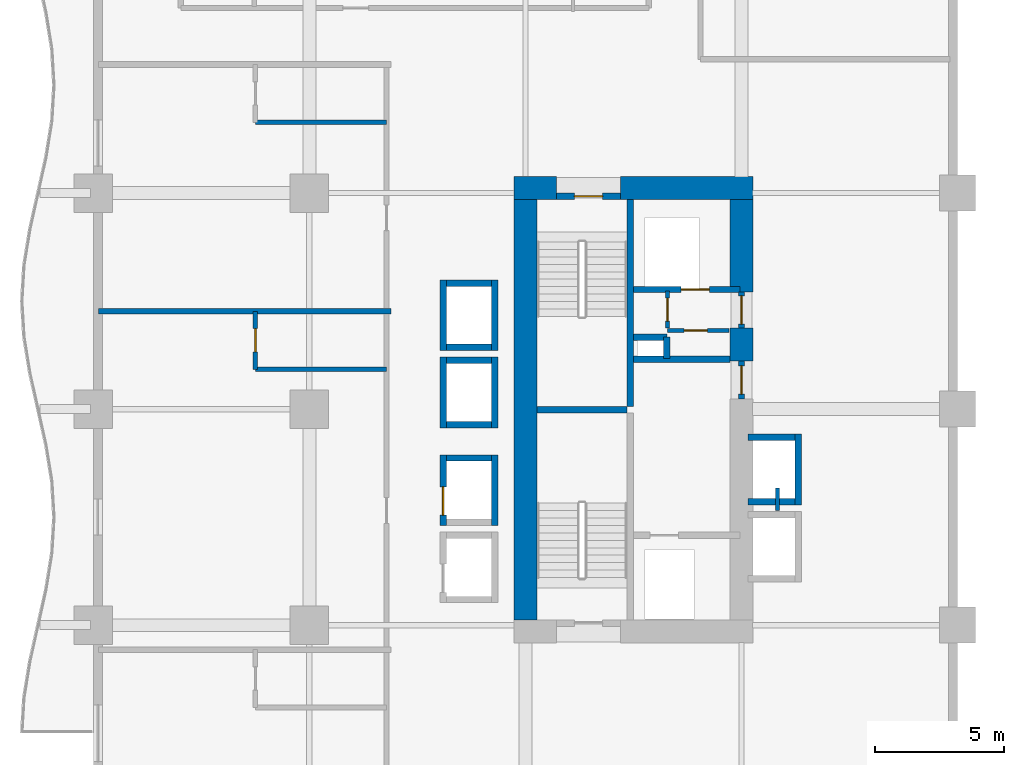
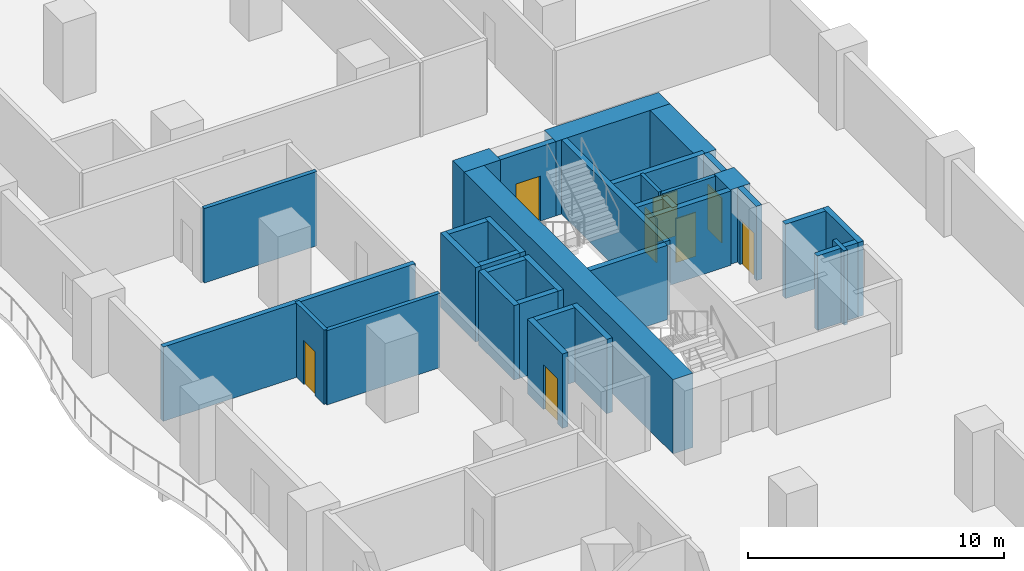
# One storey, part 13 of 24: 35 walls, 8 doors, 8 openings.
"""IFC4 building model written with IfcOpenShell, lengths in metres."""

from ifc_helpers import new_model, si_unit, direction, frame, frame_2d, origin, place, context, subcontext, project, spatial, rectangle, extrude, material, layer, layer_set, type_object, element, fill, save


model = new_model("IFC4")

# Units and contexts
model_context = context("Model", 3, precision=1e-05, world=origin(), true_north=direction((0.0, 1.0)))
body_context = subcontext(model_context, "Body", "Model", "MODEL_VIEW")
ifc_project = project(units=[si_unit("LENGTHUNIT", "METRE"), si_unit("AREAUNIT", "SQUARE_METRE"), si_unit("VOLUMEUNIT", "CUBIC_METRE"), si_unit("PLANEANGLEUNIT", "RADIAN"), si_unit("MASSUNIT", "GRAM", prefix="KILO")], contexts=[model_context])

# Site, building, storey
site_placement = place(None, origin())
site = spatial("IfcSite", under=ifc_project, at=site_placement, CompositionType="ELEMENT")
building_placement = place(site_placement, origin())
building = spatial("IfcBuilding", under=site, at=building_placement, Name="Koriwani Terraces Tower", CompositionType="ELEMENT")
storey_placement = place(building_placement, frame((0.0, 0.0, 47.199951171875)))
storey = spatial("IfcBuildingStorey", under=building, at=storey_placement, Name="L10", CompositionType="ELEMENT", Elevation=47.199951171875)

# Walls
ifc_material_1 = material(Name="Concrete C60/75", Category="concrete")
ifc_layer_1 = layer(ifc_material_1, 0.89990234375, Name="Concrete C60/75")
ifc_layer_set_1 = layer_set([ifc_layer_1], Name="Concrete C60/75")
wall_type_1 = type_object("IfcWallType", Name="WALL_CORE_RC_900", PredefinedType="SHEAR", material=ifc_layer_set_1)
wall_1_placement = place(storey_placement, frame((16.35009765625, 59.0, 0.0), z_axis=(0.0, 0.0, 1.0), x_axis=(1.0, 0.0, 0.0)))
element("IfcWall", 1, at=wall_1_placement, inside=storey, type_object=wall_type_1, Name="L10 West Split Core Shear Wall N1", PredefinedType="SHEAR", context=body_context, shape_type="SweptSolid", body=[
    extrude(rectangle(XDim=1.64990234375, YDim=0.89990234375, at=frame_2d((0.824951171875, 0.0))), origin(), (0.0, 0.0, 1.0), 3.550048828125),
])
wall_2_placement = place(storey_placement, frame((20.5, 59.0, 0.0), z_axis=(0.0, 0.0, 1.0), x_axis=(1.0, 0.0, 0.0)))
element("IfcWall", 2, at=wall_2_placement, inside=storey, type_object=wall_type_1, Name="L10 West Split Core Shear Wall N2", PredefinedType="SHEAR", context=body_context, shape_type="SweptSolid", body=[
    extrude(rectangle(XDim=5.14990234375, YDim=0.89990234375, at=frame_2d((2.574951171875, 0.0))), origin(), (0.0, 0.0, 1.0), 3.550048828125),
])
wall_3_placement = place(storey_placement, frame((16.800048828125, 42.199951171875, 0.0), z_axis=(0.0, 0.0, 1.0), x_axis=(0.0, 1.0, 0.0)))
element("IfcWall", 3, at=wall_3_placement, inside=storey, type_object=wall_type_1, Name="L10 West Split Core Shear Wall W1", PredefinedType="SHEAR", context=body_context, shape_type="SweptSolid", body=[
    extrude(rectangle(XDim=16.35009765625, YDim=0.89990234375, at=frame_2d((8.175048828125, 0.0))), origin(), (0.0, 0.0, 1.0), 3.550048828125),
])
wall_4_placement = place(storey_placement, frame((25.199951171875, 52.280029296875, 0.0), z_axis=(0.0, 0.0, 1.0), x_axis=(0.0, 1.0, 0.0)))
element("IfcWall", 4, at=wall_4_placement, inside=storey, type_object=wall_type_1, Name="L10 West Split Core Shear Wall E2", PredefinedType="SHEAR", context=body_context, shape_type="SweptSolid", body=[
    extrude(rectangle(XDim=1.27001953125, YDim=0.89990234375, at=frame_2d((0.635009765625, 0.0))), origin(), (0.0, 0.0, 1.0), 3.550048828125),
])
wall_5_placement = place(storey_placement, frame((25.199951171875, 54.949951171875, 0.0), z_axis=(0.0, 0.0, 1.0), x_axis=(0.0, 1.0, 0.0)))
element("IfcWall", 5, at=wall_5_placement, inside=storey, type_object=wall_type_1, Name="L10 West Split Core Shear Wall E3", PredefinedType="SHEAR", context=body_context, shape_type="SweptSolid", body=[
    extrude(rectangle(XDim=3.60009765625, YDim=0.89990234375, at=frame_2d((1.800048828125, 0.0))), origin(), (0.0, 0.0, 1.0), 3.550048828125),
])
ifc_material_2 = material(Name="Autoclaved Cellular Concrete Blockwork", Category="masonry")
ifc_layer_2 = layer(ifc_material_2, 0.219970703125, Name="Autoclaved Cellular Concrete Blockwork")
ifc_layer_set_2 = layer_set([ifc_layer_2], Name="Autoclaved Cellular Concrete Blockwork")
wall_type_2 = type_object("IfcWallType", Name="WALL_DEMISING_220", PredefinedType="PARTITIONING", material=ifc_layer_set_2)
wall_6_placement = place(storey_placement, frame((0.199951171875, 54.199951171875, 0.0), z_axis=(0.0, 0.0, 1.0), x_axis=(1.0, 0.0, 0.0)))
element("IfcWall", 6, at=wall_6_placement, inside=storey, type_object=wall_type_2, Name="L10 Interior Wall WDEM-L10-NW-5", PredefinedType="PARTITIONING", context=body_context, shape_type="SweptSolid", body=[
    extrude(rectangle(XDim=11.380126953125, YDim=0.219970703125, at=frame_2d((5.68994140625, 0.0))), origin(), (0.0, 0.0, 1.0), 3.550048828125),
])

# Wall, opening, door
ifc_material_3 = material(Name="Fire-Rated Acoustic Gypsum Partition", Category="masonry")
ifc_layer_3 = layer(ifc_material_3, 0.179931640625, Name="Fire-Rated Acoustic Gypsum Partition")
ifc_layer_set_3 = layer_set([ifc_layer_3], Name="Fire-Rated Acoustic Gypsum Partition")
wall_type_3 = type_object("IfcWallType", Name="WALL_PLUMBING_180", PredefinedType="PLUMBINGWALL", material=ifc_layer_set_3)
wall_7_placement = place(storey_placement, frame((6.300048828125, 51.949951171875, 0.0), z_axis=(0.0, 0.0, 1.0), x_axis=(0.0, 1.0, 0.0)))
wall_7 = element("IfcWall", 7, at=wall_7_placement, inside=storey, type_object=wall_type_3, Name="L10 Interior Wall WBTH1-L10-NW-4", PredefinedType="PLUMBINGWALL", context=body_context, shape_type="SweptSolid", body=[
    extrude(rectangle(XDim=2.25, YDim=0.179931640625, at=frame_2d((1.125, 0.0))), origin(), (0.0, 0.0, 1.0), 3.550048828125),
])
opening_1_placement = place(wall_7_placement, frame((0.675048828125, 0.0, 0.0)))
opening_1 = element("IfcOpeningElement", 8, at=opening_1_placement, cuts=wall_7, Name="Opening D-07", PredefinedType="OPENING", context=body_context, shape_type="SweptSolid", body=[
    extrude(rectangle(XDim=0.89990234375, YDim=2.10009765625, at=frame_2d((0.449951171875, 1.050048828125))), frame((0.0, 0.10009765625, 0.0), z_axis=(0.0, -1.0, 0.0), x_axis=(1.0, 0.0, 0.0)), (0.0, 0.0, 1.0), 0.199951171875),
])
ifc_material_4 = material(Name="Architectural Oak Fire Door", Category="wood")
door_type_1 = type_object("IfcDoorType", Name="DOOR_BATH_INT_900X2100", OperationType="NOTDEFINED", PredefinedType="DOOR", material=ifc_material_4)
door_1_placement = place(opening_1_placement, origin())
door_1 = element("IfcDoor", 9, at=door_1_placement, inside=storey, type_object=door_type_1, Name="En-Suite Bathroom 10NW5 Door", OperationType="SINGLE_SWING_LEFT", OverallHeight=2.10009765625, OverallWidth=0.89990234375, PredefinedType="DOOR", context=body_context, shape_type="SweptSolid", body=[
    extrude(rectangle(XDim=0.89990234375, YDim=2.10009765625, at=frame_2d((0.449951171875, 1.050048828125))), frame((0.0, 0.02490234375, 0.0), z_axis=(0.0, -1.0, 0.0), x_axis=(1.0, 0.0, 0.0)), (0.0, 0.0, 1.0), 0.050048828125),
])
fill(opening_1, door_1)

# Walls
for number, where, z_axis, x_axis, name in (
    (10, (6.300048828125, 51.949951171875, 0.0), (0.0, 0.0, 1.0), (1.0, 0.0, 0.0), "L10 Interior Wall WBTH2-L10-NW-4"),
    (11, (6.300048828125, 61.550048828125, 0.0), (0.0, 0.0, 1.0), (1.0, 0.0, 0.0), "L10 Interior Wall WBTH2-L10-NW-5"),
):
    element("IfcWall", number, at=place(storey_placement, frame(where, z_axis=z_axis, x_axis=x_axis)), inside=storey, type_object=wall_type_3, Name=name, PredefinedType="PLUMBINGWALL", context=body_context, shape_type="SweptSolid", body=[
        extrude(rectangle(XDim=5.099853515625, YDim=0.179931640625, at=frame_2d((2.5498046875, 0.0))), origin(), (0.0, 0.0, 1.0), 3.550048828125),
    ])
ifc_material_5 = material(Name="Concrete C40/50", Category="concrete")
ifc_layer_4 = layer(ifc_material_5, 0.25, Name="Concrete C40/50")
ifc_layer_set_4 = layer_set([ifc_layer_4], Name="Concrete C40/50")
wall_type_4 = type_object("IfcWallType", Name="WALL_SHAFT_RATED_250", PredefinedType="SOLIDWALL", material=ifc_layer_set_4)
wall_8_placement = place(storey_placement, frame((20.875, 50.5, 0.0), z_axis=(0.0, 0.0, 1.0), x_axis=(0.0, 1.0, 0.0)))
element("IfcWall", 12, at=wall_8_placement, inside=storey, type_object=wall_type_4, Name="L10 West Split Core Web Wall MID2", PredefinedType="SOLIDWALL", context=body_context, shape_type="SweptSolid", body=[
    extrude(rectangle(XDim=8.050048828125, YDim=0.25, at=frame_2d((4.02490234375, 0.0))), origin(), (0.0, 0.0, 1.0), 3.550048828125),
])
wall_9_placement = place(storey_placement, frame((17.25, 50.375, 0.0), z_axis=(0.0, 0.0, 1.0), x_axis=(1.0, 0.0, 0.0)))
element("IfcWall", 13, at=wall_9_placement, inside=storey, type_object=wall_type_4, Name="L10 West Split Core Stair Dividing Wall", PredefinedType="SOLIDWALL", context=body_context, shape_type="SweptSolid", body=[
    extrude(rectangle(XDim=3.5, YDim=0.25, at=frame_2d((1.75, 0.0))), origin(), (0.0, 0.0, 1.0), 3.550048828125),
])

# Wall, opening, door
wall_10_placement = place(storey_placement, frame((18.0, 58.675048828125, 0.0), z_axis=(0.0, 0.0, 1.0), x_axis=(1.0, 0.0, 0.0)))
wall_10 = element("IfcWall", 14, at=wall_10_placement, inside=storey, type_object=wall_type_4, Name="L10 Interior Wall WIN-CW-L10-STN", PredefinedType="SOLIDWALL", context=body_context, shape_type="SweptSolid", body=[
    extrude(rectangle(XDim=2.5, YDim=0.25, at=frame_2d((1.25, 0.0))), origin(), (0.0, 0.0, 1.0), 3.550048828125),
])
opening_2_placement = place(wall_10_placement, frame((0.699951171875, 0.0, 0.0)))
opening_2 = element("IfcOpeningElement", 15, at=opening_2_placement, cuts=wall_10, Name="Opening D-03", PredefinedType="OPENING", context=body_context, shape_type="SweptSolid", body=[
    extrude(rectangle(XDim=1.10009765625, YDim=2.14990234375, at=frame_2d((0.550048828125, 1.074951171875))), frame((0.0, 0.135009765625, 0.0), z_axis=(0.0, -1.0, 0.0), x_axis=(1.0, 0.0, 0.0)), (0.0, 0.0, 1.0), 0.27001953125),
])
ifc_material_6 = material(Name="Steel ASTM A572 Grade 50", Category="steel")
door_type_2 = type_object("IfcDoorType", Name="DOOR_STAIR_FIRE_1100X2150", OperationType="NOTDEFINED", PredefinedType="DOOR", material=ifc_material_6)
door_2_placement = place(opening_2_placement, origin())
door_2 = element("IfcDoor", 16, at=door_2_placement, inside=storey, type_object=door_type_2, Name="L10 Exit Stair ST-W2 Door", OperationType="SINGLE_SWING_LEFT", OverallHeight=2.14990234375, OverallWidth=1.10009765625, PredefinedType="DOOR", context=body_context, shape_type="SweptSolid", body=[
    extrude(rectangle(XDim=1.10009765625, YDim=2.14990234375, at=frame_2d((0.550048828125, 1.074951171875))), frame((0.0, 0.02490234375, 0.0), z_axis=(0.0, -1.0, 0.0), x_axis=(1.0, 0.0, 0.0)), (0.0, 0.0, 1.0), 0.050048828125),
])
fill(opening_2, door_2)

wall_11_placement = place(storey_placement, frame((25.199951171875, 50.800048828125, 0.0), z_axis=(0.0, 0.0, 1.0), x_axis=(0.0, 1.0, 0.0)))
wall_11 = element("IfcWall", 17, at=wall_11_placement, inside=storey, type_object=wall_type_4, Name="L10 Interior Wall WIN-CW-L10-EP", PredefinedType="SOLIDWALL", context=body_context, shape_type="SweptSolid", body=[
    extrude(rectangle(XDim=1.47998046875, YDim=0.25, at=frame_2d((0.739990234375, 0.0))), origin(), (0.0, 0.0, 1.0), 3.550048828125),
])
opening_3_placement = place(wall_11_placement, frame((0.179931640625, 0.0, 0.0)))
opening_3 = element("IfcOpeningElement", 18, at=opening_3_placement, cuts=wall_11, Name="Opening D-03", PredefinedType="OPENING", context=body_context, shape_type="SweptSolid", body=[
    extrude(rectangle(XDim=1.10009765625, YDim=2.14990234375, at=frame_2d((0.550048828125, 1.074951171875))), frame((0.0, 0.135009765625, 0.0), z_axis=(0.0, -1.0, 0.0), x_axis=(1.0, 0.0, 0.0)), (0.0, 0.0, 1.0), 0.27001953125),
])
door_3_placement = place(opening_3_placement, origin())
door_3 = element("IfcDoor", 19, at=door_3_placement, inside=storey, type_object=door_type_2, Name="L10 West Firefighting Lobby Door", OperationType="SINGLE_SWING_RIGHT", OverallHeight=2.14990234375, OverallWidth=1.10009765625, PredefinedType="DOOR", context=body_context, shape_type="SweptSolid", body=[
    extrude(rectangle(XDim=1.10009765625, YDim=2.14990234375, at=frame_2d((0.550048828125, 1.074951171875))), frame((0.0, 0.02490234375, 0.0), z_axis=(0.0, -1.0, 0.0), x_axis=(1.0, 0.0, 0.0)), (0.0, 0.0, 1.0), 0.050048828125),
])
fill(opening_3, door_3)

# Wall
wall_12_placement = place(storey_placement, frame((21.0, 52.340087890625, 0.0), z_axis=(0.0, 0.0, 1.0), x_axis=(1.0, 0.0, 0.0)))
element("IfcWall", 20, at=wall_12_placement, inside=storey, type_object=wall_type_4, Name="L10 Interior Wall WIN-CW-L10-FFN", PredefinedType="SOLIDWALL", context=body_context, shape_type="SweptSolid", body=[
    extrude(rectangle(XDim=3.75, YDim=0.25, at=frame_2d((1.875, 0.0))), origin(), (0.0, 0.0, 1.0), 3.550048828125),
])

# Wall, opening, door
wall_13_placement = place(storey_placement, frame((21.0, 55.050048828125, 0.0), z_axis=(0.0, 0.0, 1.0), x_axis=(1.0, 0.0, 0.0)))
wall_13 = element("IfcWall", 21, at=wall_13_placement, inside=storey, type_object=wall_type_4, Name="L10 Interior Wall WIN-CW-L10-SE", PredefinedType="SOLIDWALL", context=body_context, shape_type="SweptSolid", body=[
    extrude(rectangle(XDim=4.14990234375, YDim=0.25, at=frame_2d((2.074951171875, 0.0))), origin(), (0.0, 0.0, 1.0), 3.550048828125),
])
opening_4_placement = place(wall_13_placement, frame((1.85009765625, 0.0, 0.0)))
opening_4 = element("IfcOpeningElement", 22, at=opening_4_placement, cuts=wall_13, Name="Opening LD-01", PredefinedType="OPENING", context=body_context, shape_type="SweptSolid", body=[
    extrude(rectangle(XDim=1.10009765625, YDim=2.14990234375, at=frame_2d((0.550048828125, 1.074951171875))), frame((0.0, 0.135009765625, 0.0), z_axis=(0.0, -1.0, 0.0), x_axis=(1.0, 0.0, 0.0)), (0.0, 0.0, 1.0), 0.27001953125),
])
door_type_3 = type_object("IfcDoorType", Name="DOOR_LIFT_LANDING_1100X2200", OperationType="NOTDEFINED", PredefinedType="DOOR", material=ifc_material_6)
door_4_placement = place(opening_4_placement, origin())
door_4 = element("IfcDoor", 23, at=door_4_placement, inside=storey, type_object=door_type_3, Name="L10 Goods Lift SE-01 Landing Door", OperationType="SLIDING_TO_LEFT", OverallHeight=2.14990234375, OverallWidth=1.10009765625, PredefinedType="DOOR", context=body_context, shape_type="SweptSolid", body=[
    extrude(rectangle(XDim=1.10009765625, YDim=2.14990234375, at=frame_2d((0.550048828125, 1.074951171875))), frame((0.0, 0.02490234375, 0.0), z_axis=(0.0, -1.0, 0.0), x_axis=(1.0, 0.0, 0.0)), (0.0, 0.0, 1.0), 0.050048828125),
])
fill(opening_4, door_4)

wall_14_placement = place(storey_placement, frame((25.199951171875, 53.550048828125, 0.0), z_axis=(0.0, 0.0, 1.0), x_axis=(0.0, 1.0, 0.0)))
wall_14 = element("IfcWall", 24, at=wall_14_placement, inside=storey, type_object=wall_type_4, Name="L10 Interior Wall WIN-CW-L10-EP2", PredefinedType="SOLIDWALL", context=body_context, shape_type="SweptSolid", body=[
    extrude(rectangle(XDim=1.39990234375, YDim=0.25, at=frame_2d((0.699951171875, 0.0))), origin(), (0.0, 0.0, 1.0), 3.550048828125),
])
opening_5_placement = place(wall_14_placement, frame((0.14990234375, 0.0, 0.0)))
opening_5 = element("IfcOpeningElement", 25, at=opening_5_placement, cuts=wall_14, Name="Opening D-03", PredefinedType="OPENING", context=body_context, shape_type="SweptSolid", body=[
    extrude(rectangle(XDim=1.10009765625, YDim=2.14990234375, at=frame_2d((0.550048828125, 1.074951171875))), frame((0.0, 0.135009765625, 0.0), z_axis=(0.0, -1.0, 0.0), x_axis=(1.0, 0.0, 0.0)), (0.0, 0.0, 1.0), 0.27001953125),
])
door_5_placement = place(opening_5_placement, origin())
door_5 = element("IfcDoor", 26, at=door_5_placement, inside=storey, type_object=door_type_2, Name="L10 West Goods Lift Lobby Door", OperationType="SINGLE_SWING_LEFT", OverallHeight=2.14990234375, OverallWidth=1.10009765625, PredefinedType="DOOR", context=body_context, shape_type="SweptSolid", body=[
    extrude(rectangle(XDim=1.10009765625, YDim=2.14990234375, at=frame_2d((0.550048828125, 1.074951171875))), frame((0.0, 0.02490234375, 0.0), z_axis=(0.0, -1.0, 0.0), x_axis=(1.0, 0.0, 0.0)), (0.0, 0.0, 1.0), 0.050048828125),
])
fill(opening_5, door_5)

# Walls
wall_15_placement = place(storey_placement, frame((21.0, 53.199951171875, 0.0), z_axis=(0.0, 0.0, 1.0), x_axis=(1.0, 0.0, 0.0)))
element("IfcWall", 27, at=wall_15_placement, inside=storey, type_object=wall_type_4, Name="L10 Interior Wall WIN-CW-L10-RS1", PredefinedType="SOLIDWALL", context=body_context, shape_type="SweptSolid", body=[
    extrude(rectangle(XDim=1.300048828125, YDim=0.25, at=frame_2d((0.64990234375, 0.0))), origin(), (0.0, 0.0, 1.0), 3.550048828125),
])
wall_16_placement = place(storey_placement, frame((22.300048828125, 52.360107421875, 0.0), z_axis=(0.0, 0.0, 1.0), x_axis=(0.0, 1.0, 0.0)))
element("IfcWall", 28, at=wall_16_placement, inside=storey, type_object=wall_type_4, Name="L10 Interior Wall WIN-CW-L10-RS2", PredefinedType="SOLIDWALL", context=body_context, shape_type="SweptSolid", body=[
    extrude(rectangle(XDim=0.83984375, YDim=0.25, at=frame_2d((0.419921875, 0.0))), origin(), (0.0, 0.0, 1.0), 3.550048828125),
])

# Wall, opening, door
wall_17_placement = place(storey_placement, frame((13.60009765625, 45.875, 0.0), z_axis=(0.0, 0.0, 1.0), x_axis=(0.0, 1.0, 0.0)))
wall_17 = element("IfcWall", 29, at=wall_17_placement, inside=storey, type_object=wall_type_4, Name="L10 Interior Wall WIN-LF-PE-L2-L10-F", PredefinedType="SOLIDWALL", context=body_context, shape_type="SweptSolid", body=[
    extrude(rectangle(XDim=2.75, YDim=0.25, at=frame_2d((1.375, 0.0))), origin(), (0.0, 0.0, 1.0), 3.550048828125),
])
opening_6_placement = place(wall_17_placement, frame((0.39990234375, 0.0, 0.0)))
opening_6 = element("IfcOpeningElement", 30, at=opening_6_placement, cuts=wall_17, Name="Opening LD-01", PredefinedType="OPENING", context=body_context, shape_type="SweptSolid", body=[
    extrude(rectangle(XDim=1.10009765625, YDim=2.14990234375, at=frame_2d((0.550048828125, 1.074951171875))), frame((0.0, 0.135009765625, 0.0), z_axis=(0.0, -1.0, 0.0), x_axis=(1.0, 0.0, 0.0)), (0.0, 0.0, 1.0), 0.27001953125),
])
door_6_placement = place(opening_6_placement, origin())
door_6 = element("IfcDoor", 31, at=door_6_placement, inside=storey, type_object=door_type_3, Name="L10 Passenger Lift PE-L2 Landing Door", OperationType="SLIDING_TO_LEFT", OverallHeight=2.14990234375, OverallWidth=1.10009765625, PredefinedType="DOOR", context=body_context, shape_type="SweptSolid", body=[
    extrude(rectangle(XDim=1.10009765625, YDim=2.14990234375, at=frame_2d((0.550048828125, 1.074951171875))), frame((0.0, 0.02490234375, 0.0), z_axis=(0.0, -1.0, 0.0), x_axis=(1.0, 0.0, 0.0)), (0.0, 0.0, 1.0), 0.050048828125),
])
fill(opening_6, door_6)

# Walls
wall_18_placement = place(storey_placement, frame((15.60009765625, 45.875, 0.0), z_axis=(0.0, 0.0, 1.0), x_axis=(0.0, 1.0, 0.0)))
element("IfcWall", 32, at=wall_18_placement, inside=storey, type_object=wall_type_4, Name="L10 Interior Wall WIN-LF-PE-L2-L10-B", PredefinedType="SOLIDWALL", context=body_context, shape_type="SweptSolid", body=[
    extrude(rectangle(XDim=2.75, YDim=0.25, at=frame_2d((1.375, 0.0))), origin(), (0.0, 0.0, 1.0), 3.550048828125),
])
wall_19_placement = place(storey_placement, frame((13.72509765625, 48.5, 0.0), z_axis=(0.0, 0.0, 1.0), x_axis=(1.0, 0.0, 0.0)))
element("IfcWall", 33, at=wall_19_placement, inside=storey, type_object=wall_type_4, Name="L10 Interior Wall WIN-LF-PE-L2-L10-N", PredefinedType="SOLIDWALL", context=body_context, shape_type="SweptSolid", body=[
    extrude(rectangle(XDim=1.75, YDim=0.25, at=frame_2d((0.875, 0.0))), origin(), (0.0, 0.0, 1.0), 3.550048828125),
])
for number, where, z_axis, x_axis, name in (
    (34, (13.60009765625, 49.675048828125, 0.0), (0.0, 0.0, 1.0), (0.0, 1.0, 0.0), "L10 Interior Wall WIN-LF-PE-M1-L10-F"),
    (35, (15.60009765625, 49.675048828125, 0.0), (0.0, 0.0, 1.0), (0.0, 1.0, 0.0), "L10 Interior Wall WIN-LF-PE-M1-L10-B"),
):
    element("IfcWall", number, at=place(storey_placement, frame(where, z_axis=z_axis, x_axis=x_axis)), inside=storey, type_object=wall_type_4, Name=name, PredefinedType="SOLIDWALL", context=body_context, shape_type="SweptSolid", body=[
        extrude(rectangle(XDim=2.75, YDim=0.25, at=frame_2d((1.375, 0.0))), origin(), (0.0, 0.0, 1.0), 3.550048828125),
    ])
for number, where, z_axis, x_axis, name in (
    (36, (13.72509765625, 49.800048828125, 0.0), (0.0, 0.0, 1.0), (1.0, 0.0, 0.0), "L10 Interior Wall WIN-LF-PE-M1-L10-S"),
    (37, (13.72509765625, 52.300048828125, 0.0), (0.0, 0.0, 1.0), (1.0, 0.0, 0.0), "L10 Interior Wall WIN-LF-PE-M1-L10-N"),
):
    element("IfcWall", number, at=place(storey_placement, frame(where, z_axis=z_axis, x_axis=x_axis)), inside=storey, type_object=wall_type_4, Name=name, PredefinedType="SOLIDWALL", context=body_context, shape_type="SweptSolid", body=[
        extrude(rectangle(XDim=1.75, YDim=0.25, at=frame_2d((0.875, 0.0))), origin(), (0.0, 0.0, 1.0), 3.550048828125),
    ])
for number, where, z_axis, x_axis, name in (
    (38, (13.60009765625, 52.675048828125, 0.0), (0.0, 0.0, 1.0), (0.0, 1.0, 0.0), "L10 Interior Wall WIN-LF-PE-M2-L10-F"),
    (39, (15.60009765625, 52.675048828125, 0.0), (0.0, 0.0, 1.0), (0.0, 1.0, 0.0), "L10 Interior Wall WIN-LF-PE-M2-L10-B"),
):
    element("IfcWall", number, at=place(storey_placement, frame(where, z_axis=z_axis, x_axis=x_axis)), inside=storey, type_object=wall_type_4, Name=name, PredefinedType="SOLIDWALL", context=body_context, shape_type="SweptSolid", body=[
        extrude(rectangle(XDim=2.75, YDim=0.25, at=frame_2d((1.375, 0.0))), origin(), (0.0, 0.0, 1.0), 3.550048828125),
    ])
for number, where, z_axis, x_axis, name in (
    (40, (13.72509765625, 52.800048828125, 0.0), (0.0, 0.0, 1.0), (1.0, 0.0, 0.0), "L10 Interior Wall WIN-LF-PE-M2-L10-S"),
    (41, (13.72509765625, 55.300048828125, 0.0), (0.0, 0.0, 1.0), (1.0, 0.0, 0.0), "L10 Interior Wall WIN-LF-PE-M2-L10-N"),
):
    element("IfcWall", number, at=place(storey_placement, frame(where, z_axis=z_axis, x_axis=x_axis)), inside=storey, type_object=wall_type_4, Name=name, PredefinedType="SOLIDWALL", context=body_context, shape_type="SweptSolid", body=[
        extrude(rectangle(XDim=1.75, YDim=0.25, at=frame_2d((0.875, 0.0))), origin(), (0.0, 0.0, 1.0), 3.550048828125),
    ])
wall_20_placement = place(storey_placement, frame((27.39990234375, 46.675048828125, 0.0), z_axis=(0.0, 0.0, 1.0), x_axis=(0.0, 1.0, 0.0)))
element("IfcWall", 42, at=wall_20_placement, inside=storey, type_object=wall_type_4, Name="L10 Interior Wall WIN-LF-PE-H2-L10-F", PredefinedType="SOLIDWALL", context=body_context, shape_type="SweptSolid", body=[
    extrude(rectangle(XDim=2.75, YDim=0.25, at=frame_2d((1.375, 0.0))), origin(), (0.0, 0.0, 1.0), 3.550048828125),
])
for number, where, z_axis, x_axis, name in (
    (43, (25.449951171875, 46.800048828125, 0.0), (0.0, 0.0, 1.0), (1.0, 0.0, 0.0), "L10 Interior Wall WIN-LF-PE-H2-L10-S"),
    (44, (25.449951171875, 49.300048828125, 0.0), (0.0, 0.0, 1.0), (1.0, 0.0, 0.0), "L10 Interior Wall WIN-LF-PE-H2-L10-N"),
):
    element("IfcWall", number, at=place(storey_placement, frame(where, z_axis=z_axis, x_axis=x_axis)), inside=storey, type_object=wall_type_4, Name=name, PredefinedType="SOLIDWALL", context=body_context, shape_type="SweptSolid", body=[
        extrude(rectangle(XDim=1.824951171875, YDim=0.25, at=frame_2d((0.91259765625, 0.0))), origin(), (0.0, 0.0, 1.0), 3.550048828125),
    ])

# Wall, opening, door
ifc_layer_5 = layer(ifc_material_3, 0.159912109375, Name="Fire-Rated Acoustic Gypsum Partition")
ifc_layer_set_5 = layer_set([ifc_layer_5], Name="Fire-Rated Acoustic Gypsum Partition")
wall_type_5 = type_object("IfcWallType", Name="WALL_SUITE_160", PredefinedType="PARTITIONING", material=ifc_layer_set_5)
wall_21_placement = place(storey_placement, frame((22.320068359375, 53.56005859375, 0.0), z_axis=(0.0, 0.0, 1.0), x_axis=(0.0, 1.0, 0.0)))
wall_21 = element("IfcWall", 45, at=wall_21_placement, inside=storey, type_object=wall_type_5, Name="L10 Interior Wall WIN-CW-L10-SV1A", PredefinedType="PARTITIONING", context=body_context, shape_type="SweptSolid", body=[
    extrude(rectangle(XDim=1.43994140625, YDim=0.159912109375, at=frame_2d((0.719970703125, 0.0))), origin(), (0.0, 0.0, 1.0), 3.550048828125),
])
opening_7_placement = place(wall_21_placement, frame((0.260009765625, 0.0, 0.0)))
opening_7 = element("IfcOpeningElement", 46, at=opening_7_placement, cuts=wall_21, Name="Opening D-07", PredefinedType="OPENING", context=body_context, shape_type="SweptSolid", body=[
    extrude(rectangle(XDim=0.89990234375, YDim=2.10009765625, at=frame_2d((0.449951171875, 1.050048828125))), frame((0.0, 0.08984375, 0.0), z_axis=(0.0, -1.0, 0.0), x_axis=(1.0, 0.0, 0.0)), (0.0, 0.0, 1.0), 0.179931640625),
])
door_7_placement = place(opening_7_placement, origin())
door_7 = element("IfcDoor", 47, at=door_7_placement, inside=storey, type_object=door_type_1, Name="L10 West Telecom Room Door", OperationType="SINGLE_SWING_RIGHT", OverallHeight=2.10009765625, OverallWidth=0.89990234375, PredefinedType="DOOR", context=body_context, shape_type="SweptSolid", body=[
    extrude(rectangle(XDim=0.89990234375, YDim=2.10009765625, at=frame_2d((0.449951171875, 1.050048828125))), frame((0.0, 0.02490234375, 0.0), z_axis=(0.0, -1.0, 0.0), x_axis=(1.0, 0.0, 0.0)), (0.0, 0.0, 1.0), 0.050048828125),
])
fill(opening_7, door_7)

wall_22_placement = place(storey_placement, frame((22.320068359375, 53.4599609375, 0.0), z_axis=(0.0, 0.0, 1.0), x_axis=(1.0, 0.0, 0.0)))
wall_22 = element("IfcWall", 48, at=wall_22_placement, inside=storey, type_object=wall_type_5, Name="L10 Interior Wall WIN-CW-L10-SV1B", PredefinedType="PARTITIONING", context=body_context, shape_type="SweptSolid", body=[
    extrude(rectangle(XDim=2.39990234375, YDim=0.159912109375, at=frame_2d((1.199951171875, 0.0))), origin(), (0.0, 0.0, 1.0), 3.550048828125),
])
opening_8_placement = place(wall_22_placement, frame((0.64990234375, 0.0, 0.0)))
opening_8 = element("IfcOpeningElement", 49, at=opening_8_placement, cuts=wall_22, Name="Opening D-07", PredefinedType="OPENING", context=body_context, shape_type="SweptSolid", body=[
    extrude(rectangle(XDim=0.89990234375, YDim=2.10009765625, at=frame_2d((0.449951171875, 1.050048828125))), frame((0.0, 0.08984375, 0.0), z_axis=(0.0, -1.0, 0.0), x_axis=(1.0, 0.0, 0.0)), (0.0, 0.0, 1.0), 0.179931640625),
])
door_8_placement = place(opening_8_placement, origin())
door_8 = element("IfcDoor", 50, at=door_8_placement, inside=storey, type_object=door_type_1, Name="L10 West Cleaners Closet Door", OperationType="SINGLE_SWING_LEFT", OverallHeight=2.10009765625, OverallWidth=0.89990234375, PredefinedType="DOOR", context=body_context, shape_type="SweptSolid", body=[
    extrude(rectangle(XDim=0.89990234375, YDim=2.10009765625, at=frame_2d((0.449951171875, 1.050048828125))), frame((0.0, 0.02490234375, 0.0), z_axis=(0.0, -1.0, 0.0), x_axis=(1.0, 0.0, 0.0)), (0.0, 0.0, 1.0), 0.050048828125),
])
fill(opening_8, door_8)

# Wall
wall_23_placement = place(storey_placement, frame((26.60009765625, 46.4599609375, 0.0), z_axis=(0.0, 0.0, 1.0), x_axis=(0.0, 1.0, 0.0)))
element("IfcWall", 51, at=wall_23_placement, inside=storey, type_object=wall_type_5, Name="L10 Interior Wall WIN-LF-PEH12-MID-L10", PredefinedType="PARTITIONING", context=body_context, shape_type="SweptSolid", body=[
    extrude(rectangle(XDim=0.880126953125, YDim=0.159912109375, at=frame_2d((0.43994140625, 0.0))), origin(), (0.0, 0.0, 1.0), 3.550048828125),
])

save(model, "model.ifc")
